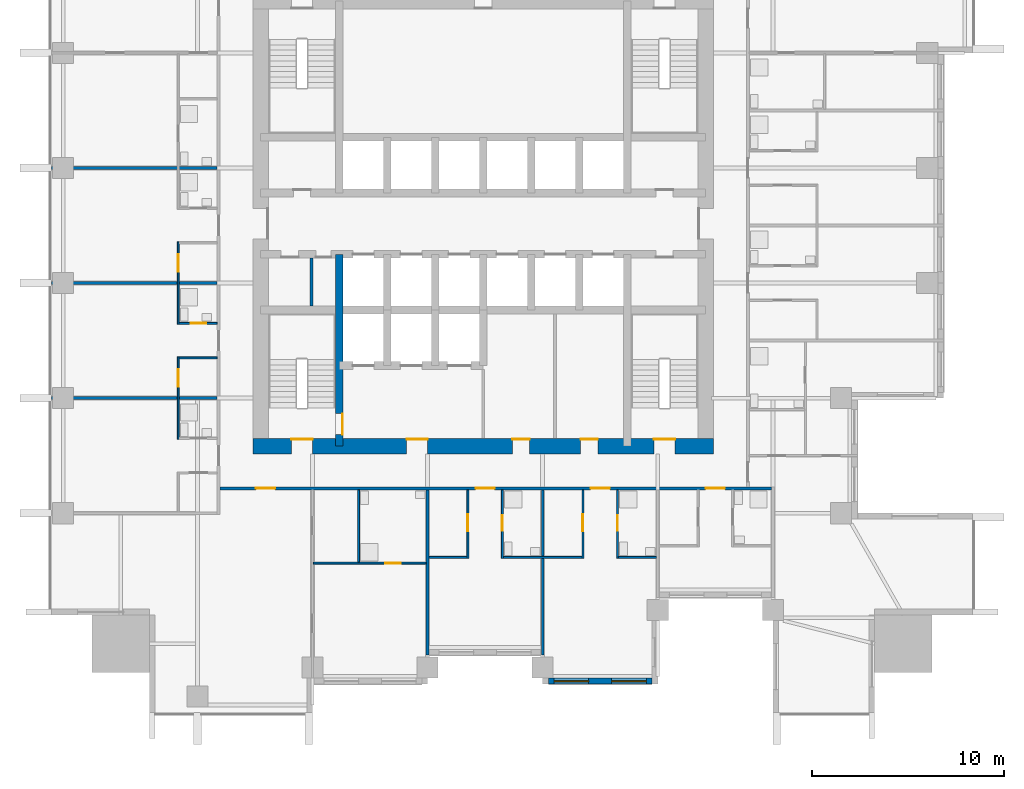
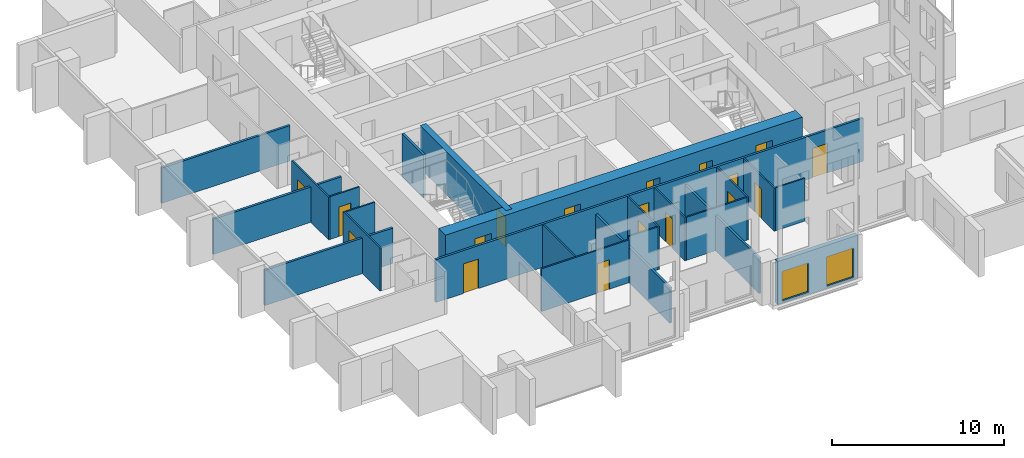
# One storey, part 4 of 12: 23 walls, 18 doors, 2 windows, 20 openings.
"""IFC4 building model written with IfcOpenShell, lengths in metres."""

from ifc_helpers import new_model, si_unit, direction, frame, frame_2d, origin, place, context, subcontext, project, spatial, rectangle, extrude, material, layer, layer_set, type_object, element, fill, save


model = new_model("IFC4")

# Units and contexts
model_context = context("Model", 3, precision=1e-05, world=origin(), true_north=direction((0.0, 1.0)))
body_context = subcontext(model_context, "Body", "Model", "MODEL_VIEW")
ifc_project = project(units=[si_unit("LENGTHUNIT", "METRE"), si_unit("AREAUNIT", "SQUARE_METRE"), si_unit("VOLUMEUNIT", "CUBIC_METRE"), si_unit("PLANEANGLEUNIT", "RADIAN"), si_unit("MASSUNIT", "GRAM", prefix="KILO")], contexts=[model_context])

# Site, building, storey
site_placement = place(None, origin())
site = spatial("IfcSite", under=ifc_project, at=site_placement, CompositionType="ELEMENT")
building_placement = place(site_placement, origin())
building = spatial("IfcBuilding", under=site, at=building_placement, Name="Amberfall Residences", CompositionType="ELEMENT")
storey_placement = place(building_placement, frame((0.0, 0.0, 88.60009765625)))
storey = spatial("IfcBuildingStorey", under=building, at=storey_placement, Name="L23", CompositionType="ELEMENT", Elevation=88.60009765625)

# Wall, openings, windows
ifc_material_1 = material(Name="Pale stone cladding on insulated backing", Category="masonry")
ifc_layer_1 = layer(ifc_material_1, 0.300048828125)
ifc_layer_set_1 = layer_set([ifc_layer_1], Name="Bronze clad wall 300")
wall_type_1 = type_object("IfcWallType", Name="Bronze clad wall 300", PredefinedType="SOLIDWALL", material=ifc_layer_set_1)
wall_1_placement = place(storey_placement, frame((77.89990234375, 21.64990234375, 0.0), z_axis=(0.0, 0.0, 1.0), x_axis=(1.0, 0.0, 0.0)))
wall_1 = element("IfcWall", 1, at=wall_1_placement, inside=storey, type_object=wall_type_1, Name="Stone wall L23 S", PredefinedType="SOLIDWALL", context=body_context, shape_type="SweptSolid", body=[
    extrude(rectangle(XDim=5.400146484375, YDim=0.300048828125, at=frame_2d((2.7001953125, 0.0))), origin(), (0.0, 0.0, 1.0), 3.0498046875),
])
opening_1_placement = place(wall_1_placement, frame((0.300048828125, 0.0, 0.14990234375)))
opening_1 = element("IfcOpeningElement", 2, at=opening_1_placement, cuts=wall_1, Name="Opening WN6", PredefinedType="OPENING", context=body_context, shape_type="SweptSolid", body=[
    extrude(rectangle(XDim=1.800048828125, YDim=2.10009765625, at=frame_2d((0.89990234375, 1.050048828125))), frame((0.0, 0.159912109375, 0.0), z_axis=(0.0, -1.0, 0.0), x_axis=(1.0, 0.0, 0.0)), (0.0, 0.0, 1.0), 0.320068359375),
])
opening_2_placement = place(wall_1_placement, frame((3.300048828125, 0.0, 0.14990234375)))
opening_2 = element("IfcOpeningElement", 3, at=opening_2_placement, cuts=wall_1, Name="Opening WN6", PredefinedType="OPENING", context=body_context, shape_type="SweptSolid", body=[
    extrude(rectangle(XDim=1.800048828125, YDim=2.10009765625, at=frame_2d((0.89990234375, 1.050048828125))), frame((0.0, 0.159912109375, 0.0), z_axis=(0.0, -1.0, 0.0), x_axis=(1.0, 0.0, 0.0)), (0.0, 0.0, 1.0), 0.320068359375),
])
ifc_material_2 = material(Name="Bronze aluminium framed glazing", Category="aluminium")
window_type = type_object("IfcWindowType", Name="Glazed opening 1800 x 2100 bronze", PartitioningType="DOUBLE_PANEL_VERTICAL", PredefinedType="WINDOW", material=ifc_material_2)
window_1_placement = place(opening_1_placement, origin())
window_1 = element("IfcWindow", 4, at=window_1_placement, inside=storey, type_object=window_type, Name="Window L23 S", OverallHeight=2.10009765625, OverallWidth=1.800048828125, PartitioningType="DOUBLE_PANEL_VERTICAL", PredefinedType="WINDOW", context=body_context, shape_type="SweptSolid", body=[
    extrude(rectangle(XDim=1.800048828125, YDim=2.10009765625, at=frame_2d((0.89990234375, 1.050048828125))), frame((0.0, 0.030029296875, 0.0), z_axis=(0.0, -1.0, 0.0), x_axis=(1.0, 0.0, 0.0)), (0.0, 0.0, 1.0), 0.06005859375),
])
fill(opening_1, window_1)
window_2_placement = place(opening_2_placement, origin())
window_2 = element("IfcWindow", 5, at=window_2_placement, inside=storey, type_object=window_type, Name="Window L23 S", OverallHeight=2.10009765625, OverallWidth=1.800048828125, PartitioningType="DOUBLE_PANEL_VERTICAL", PredefinedType="WINDOW", context=body_context, shape_type="SweptSolid", body=[
    extrude(rectangle(XDim=1.800048828125, YDim=2.10009765625, at=frame_2d((0.89990234375, 1.050048828125))), frame((0.0, 0.030029296875, 0.0), z_axis=(0.0, -1.0, 0.0), x_axis=(1.0, 0.0, 0.0)), (0.0, 0.0, 1.0), 0.06005859375),
])
fill(opening_2, window_2)

# Wall, opening, door
ifc_material_3 = material(Name="Concrete C70", Category="concrete")
ifc_layer_2 = layer(ifc_material_3, 0.39990234375)
ifc_layer_set_2 = layer_set([ifc_layer_2], Name="Core wall 400 C70")
wall_type_2 = type_object("IfcWallType", Name="Core wall 400 C70", PredefinedType="SHEAR", material=ifc_layer_set_2)
wall_2_placement = place(storey_placement, frame((67.0, 33.89990234375, 0.0), z_axis=(0.0, 0.0, 1.0), x_axis=(0.0, 1.0, 0.0)))
wall_2 = element("IfcWall", 6, at=wall_2_placement, inside=storey, type_object=wall_type_2, Name="Core wall RW4 L23 V45S", PredefinedType="SHEAR", context=body_context, shape_type="SweptSolid", body=[
    extrude(rectangle(XDim=10.0, YDim=0.39990234375, at=frame_2d((5.0, 0.0))), origin(), (0.0, 0.0, 1.0), 3.0498046875),
])
opening_3_placement = place(wall_2_placement, frame((0.60009765625, 0.0, 0.0)))
opening_3 = element("IfcOpeningElement", 7, at=opening_3_placement, cuts=wall_2, Name="Opening FL1", PredefinedType="OPENING", context=body_context, shape_type="SweptSolid", body=[
    extrude(rectangle(XDim=1.10009765625, YDim=2.10009765625, at=frame_2d((0.550048828125, 1.050048828125))), frame((0.0, 0.2099609375, 0.0), z_axis=(0.0, -1.0, 0.0), x_axis=(1.0, 0.0, 0.0)), (0.0, 0.0, 1.0), 0.419921875),
])
ifc_material_4 = material(Name="Steel fire door set", Category="steel")
door_type_1 = type_object("IfcDoorType", Name="Firefighting lobby door 1100 x 2100", OperationType="SINGLE_SWING_LEFT", PredefinedType="DOOR", material=ifc_material_4)
door_1_placement = place(opening_3_placement, origin())
door_1 = element("IfcDoor", 8, at=door_1_placement, inside=storey, type_object=door_type_1, Name="FL1 L23", OperationType="SINGLE_SWING_RIGHT", OverallHeight=2.10009765625, OverallWidth=1.10009765625, PredefinedType="DOOR", context=body_context, shape_type="SweptSolid", body=[
    extrude(rectangle(XDim=1.10009765625, YDim=2.10009765625, at=frame_2d((0.550048828125, 1.050048828125))), frame((0.0, -0.1376953125, 0.0), z_axis=(0.0, -1.0, 0.0), x_axis=(1.0, 0.0, 0.0)), (0.0, 0.0, 1.0), 0.050048828125),
])
fill(opening_3, door_1)

# Wall, openings, doors
ifc_layer_3 = layer(ifc_material_3, 0.800048828125)
ifc_layer_set_3 = layer_set([ifc_layer_3], Name="Core wall 800 C70")
wall_type_3 = type_object("IfcWallType", Name="Core wall 800 C70", PredefinedType="SHEAR", material=ifc_layer_set_3)
wall_3_placement = place(storey_placement, frame((62.5, 33.89990234375, 0.0), z_axis=(0.0, 0.0, 1.0), x_axis=(1.0, 0.0, 0.0)))
wall_3 = element("IfcWall", 9, at=wall_3_placement, inside=storey, type_object=wall_type_3, Name="Core wall RW3 L23 OS", PredefinedType="SHEAR", context=body_context, shape_type="SweptSolid", body=[
    extrude(rectangle(XDim=24.0, YDim=0.800048828125, at=frame_2d((12.0, 0.0))), origin(), (0.0, 0.0, 1.0), 3.0498046875),
])
opening_4_placement = place(wall_3_placement, frame((2.0, 0.0, 0.0)))
opening_4 = element("IfcOpeningElement", 10, at=opening_4_placement, cuts=wall_3, Name="Opening SD1", PredefinedType="OPENING", context=body_context, shape_type="SweptSolid", body=[
    extrude(rectangle(XDim=1.10009765625, YDim=2.10009765625, at=frame_2d((0.550048828125, 1.050048828125))), frame((0.0, 0.409912109375, 0.0), z_axis=(0.0, -1.0, 0.0), x_axis=(1.0, 0.0, 0.0)), (0.0, 0.0, 1.0), 0.820068359375),
])
opening_5_placement = place(wall_3_placement, frame((20.89990234375, 0.0, 0.0)))
opening_5 = element("IfcOpeningElement", 11, at=opening_5_placement, cuts=wall_3, Name="Opening SD1", PredefinedType="OPENING", context=body_context, shape_type="SweptSolid", body=[
    extrude(rectangle(XDim=1.10009765625, YDim=2.10009765625, at=frame_2d((0.550048828125, 1.050048828125))), frame((0.0, 0.409912109375, 0.0), z_axis=(0.0, -1.0, 0.0), x_axis=(1.0, 0.0, 0.0)), (0.0, 0.0, 1.0), 0.820068359375),
])
opening_6_placement = place(wall_3_placement, frame((8.0, 0.0, 0.0)))
opening_6 = element("IfcOpeningElement", 12, at=opening_6_placement, cuts=wall_3, Name="Opening FL1", PredefinedType="OPENING", context=body_context, shape_type="SweptSolid", body=[
    extrude(rectangle(XDim=1.10009765625, YDim=2.10009765625, at=frame_2d((0.550048828125, 1.050048828125))), frame((0.0, 0.409912109375, 0.0), z_axis=(0.0, -1.0, 0.0), x_axis=(1.0, 0.0, 0.0)), (0.0, 0.0, 1.0), 0.820068359375),
])
opening_7_placement = place(wall_3_placement, frame((13.52490234375, 0.0, 0.0)))
opening_7 = element("IfcOpeningElement", 13, at=opening_7_placement, cuts=wall_3, Name="Opening RD1", PredefinedType="OPENING", context=body_context, shape_type="SweptSolid", body=[
    extrude(rectangle(XDim=0.89990234375, YDim=2.10009765625, at=frame_2d((0.449951171875, 1.050048828125))), frame((0.0, 0.409912109375, 0.0), z_axis=(0.0, -1.0, 0.0), x_axis=(1.0, 0.0, 0.0)), (0.0, 0.0, 1.0), 0.820068359375),
])
opening_8_placement = place(wall_3_placement, frame((17.074951171875, 0.0, 0.0)))
opening_8 = element("IfcOpeningElement", 14, at=opening_8_placement, cuts=wall_3, Name="Opening RD1", PredefinedType="OPENING", context=body_context, shape_type="SweptSolid", body=[
    extrude(rectangle(XDim=0.89990234375, YDim=2.10009765625, at=frame_2d((0.449951171875, 1.050048828125))), frame((0.0, 0.409912109375, 0.0), z_axis=(0.0, -1.0, 0.0), x_axis=(1.0, 0.0, 0.0)), (0.0, 0.0, 1.0), 0.820068359375),
])
door_2_placement = place(opening_6_placement, origin())
door_2 = element("IfcDoor", 15, at=door_2_placement, inside=storey, type_object=door_type_1, Name="FL1 L23", OperationType="SINGLE_SWING_LEFT", OverallHeight=2.10009765625, OverallWidth=1.10009765625, PredefinedType="DOOR", context=body_context, shape_type="SweptSolid", body=[
    extrude(rectangle(XDim=1.10009765625, YDim=2.10009765625, at=frame_2d((0.550048828125, 1.050048828125))), frame((0.0, 0.3876953125, 0.0), z_axis=(0.0, -1.0, 0.0), x_axis=(1.0, 0.0, 0.0)), (0.0, 0.0, 1.0), 0.050048828125),
])
fill(opening_6, door_2)
door_type_2 = type_object("IfcDoorType", Name="Service room door 900 x 2100", OperationType="SINGLE_SWING_LEFT", PredefinedType="DOOR", material=ifc_material_4)
door_3_placement = place(opening_7_placement, origin())
door_3 = element("IfcDoor", 16, at=door_3_placement, inside=storey, type_object=door_type_2, Name="RD1 L23", OperationType="SINGLE_SWING_LEFT", OverallHeight=2.10009765625, OverallWidth=0.89990234375, PredefinedType="DOOR", context=body_context, shape_type="SweptSolid", body=[
    extrude(rectangle(XDim=0.89990234375, YDim=2.10009765625, at=frame_2d((0.449951171875, 1.050048828125))), frame((0.0, 0.3876953125, 0.0), z_axis=(0.0, -1.0, 0.0), x_axis=(1.0, 0.0, 0.0)), (0.0, 0.0, 1.0), 0.050048828125),
])
fill(opening_7, door_3)
door_4_placement = place(opening_8_placement, origin())
door_4 = element("IfcDoor", 17, at=door_4_placement, inside=storey, type_object=door_type_2, Name="RD1 L23", OperationType="SINGLE_SWING_LEFT", OverallHeight=2.10009765625, OverallWidth=0.89990234375, PredefinedType="DOOR", context=body_context, shape_type="SweptSolid", body=[
    extrude(rectangle(XDim=0.89990234375, YDim=2.10009765625, at=frame_2d((0.449951171875, 1.050048828125))), frame((0.0, 0.3876953125, 0.0), z_axis=(0.0, -1.0, 0.0), x_axis=(1.0, 0.0, 0.0)), (0.0, 0.0, 1.0), 0.050048828125),
])
fill(opening_8, door_4)
door_type_3 = type_object("IfcDoorType", Name="Stair door 1100 x 2100", OperationType="SINGLE_SWING_LEFT", PredefinedType="DOOR", material=ifc_material_4)
door_5_placement = place(opening_4_placement, origin())
door_5 = element("IfcDoor", 18, at=door_5_placement, inside=storey, type_object=door_type_3, Name="SD1 L23", OperationType="SINGLE_SWING_LEFT", OverallHeight=2.10009765625, OverallWidth=1.10009765625, PredefinedType="DOOR", context=body_context, shape_type="SweptSolid", body=[
    extrude(rectangle(XDim=1.10009765625, YDim=2.10009765625, at=frame_2d((0.550048828125, 1.050048828125))), frame((0.0, 0.3876953125, 0.0), z_axis=(0.0, -1.0, 0.0), x_axis=(1.0, 0.0, 0.0)), (0.0, 0.0, 1.0), 0.050048828125),
])
fill(opening_4, door_5)
door_6_placement = place(opening_5_placement, origin())
door_6 = element("IfcDoor", 19, at=door_6_placement, inside=storey, type_object=door_type_3, Name="SD1 L23", OperationType="SINGLE_SWING_RIGHT", OverallHeight=2.10009765625, OverallWidth=1.10009765625, PredefinedType="DOOR", context=body_context, shape_type="SweptSolid", body=[
    extrude(rectangle(XDim=1.10009765625, YDim=2.10009765625, at=frame_2d((0.550048828125, 1.050048828125))), frame((0.0, 0.3876953125, 0.0), z_axis=(0.0, -1.0, 0.0), x_axis=(1.0, 0.0, 0.0)), (0.0, 0.0, 1.0), 0.050048828125),
])
fill(opening_5, door_6)

# Wall, opening, door
ifc_material_5 = material(Name="Gypsum board on metal stud")
ifc_layer_4 = layer(ifc_material_5, 0.10009765625)
ifc_layer_set_4 = layer_set([ifc_layer_4], Name="Flat partition 100")
wall_type_4 = type_object("IfcWallType", Name="Flat partition 100", PredefinedType="PARTITIONING", material=ifc_layer_set_4)
wall_4_placement = place(storey_placement, frame((58.60009765625, 38.550048828125, 0.0), z_axis=(0.0, 0.0, 1.0), x_axis=(0.0, -1.0, 0.0)))
wall_4 = element("IfcWall", 20, at=wall_4_placement, inside=storey, type_object=wall_type_4, Name="Partition 002", PredefinedType="PARTITIONING", context=body_context, shape_type="SweptSolid", body=[
    extrude(rectangle(XDim=4.300048828125, YDim=0.10009765625, at=frame_2d((2.14990234375, 0.0))), origin(), (0.0, 0.0, 1.0), 3.0498046875),
])
opening_9_placement = place(wall_4_placement, frame((0.64990234375, 0.0, 0.0)))
opening_9 = element("IfcOpeningElement", 21, at=opening_9_placement, cuts=wall_4, Name="Opening D41", PredefinedType="OPENING", context=body_context, shape_type="SweptSolid", body=[
    extrude(rectangle(XDim=0.89990234375, YDim=2.10009765625, at=frame_2d((0.449951171875, 1.050048828125))), frame((0.0, 0.06005859375, 0.0), z_axis=(0.0, -1.0, 0.0), x_axis=(1.0, 0.0, 0.0)), (0.0, 0.0, 1.0), 0.1201171875),
])
ifc_material_6 = material(Name="Timber", Category="wood")
door_type_4 = type_object("IfcDoorType", Name="Internal door 900 x 2100", OperationType="SINGLE_SWING_LEFT", PredefinedType="DOOR", material=ifc_material_6)
door_7_placement = place(opening_9_placement, origin())
door_7 = element("IfcDoor", 22, at=door_7_placement, inside=storey, type_object=door_type_4, Name="Door 2314 kitchen", OperationType="SINGLE_SWING_LEFT", OverallHeight=2.10009765625, OverallWidth=0.89990234375, PredefinedType="DOOR", context=body_context, shape_type="SweptSolid", body=[
    extrude(rectangle(XDim=0.89990234375, YDim=2.10009765625, at=frame_2d((0.449951171875, 1.050048828125))), frame((0.0, 0.02490234375, 0.0), z_axis=(0.0, -1.0, 0.0), x_axis=(1.0, 0.0, 0.0)), (0.0, 0.0, 1.0), 0.050048828125),
])
fill(opening_9, door_7)

wall_5_placement = place(storey_placement, frame((58.60009765625, 44.550048828125, 0.0), z_axis=(0.0, 0.0, 1.0), x_axis=(0.0, -1.0, 0.0)))
wall_5 = element("IfcWall", 23, at=wall_5_placement, inside=storey, type_object=wall_type_4, Name="Partition 003", PredefinedType="PARTITIONING", context=body_context, shape_type="SweptSolid", body=[
    extrude(rectangle(XDim=4.300048828125, YDim=0.10009765625, at=frame_2d((2.14990234375, 0.0))), origin(), (0.0, 0.0, 1.0), 3.0498046875),
])
opening_10_placement = place(wall_5_placement, frame((0.64990234375, 0.0, 0.0)))
opening_10 = element("IfcOpeningElement", 24, at=opening_10_placement, cuts=wall_5, Name="Opening D41", PredefinedType="OPENING", context=body_context, shape_type="SweptSolid", body=[
    extrude(rectangle(XDim=0.89990234375, YDim=2.10009765625, at=frame_2d((0.449951171875, 1.050048828125))), frame((0.0, 0.06005859375, 0.0), z_axis=(0.0, -1.0, 0.0), x_axis=(1.0, 0.0, 0.0)), (0.0, 0.0, 1.0), 0.1201171875),
])
door_8_placement = place(opening_10_placement, origin())
door_8 = element("IfcDoor", 25, at=door_8_placement, inside=storey, type_object=door_type_4, Name="Door 2315 kitchen", OperationType="SINGLE_SWING_LEFT", OverallHeight=2.10009765625, OverallWidth=0.89990234375, PredefinedType="DOOR", context=body_context, shape_type="SweptSolid", body=[
    extrude(rectangle(XDim=0.89990234375, YDim=2.10009765625, at=frame_2d((0.449951171875, 1.050048828125))), frame((0.0, 0.02490234375, 0.0), z_axis=(0.0, -1.0, 0.0), x_axis=(1.0, 0.0, 0.0)), (0.0, 0.0, 1.0), 0.050048828125),
])
fill(opening_10, door_8)

# Wall
wall_6_placement = place(storey_placement, frame((68.0, 27.85009765625, 0.0), z_axis=(0.0, 0.0, 1.0), x_axis=(0.0, 1.0, 0.0)))
element("IfcWall", 26, at=wall_6_placement, inside=storey, type_object=wall_type_4, Name="Partition 009", PredefinedType="PARTITIONING", context=body_context, shape_type="SweptSolid", body=[
    extrude(rectangle(XDim=3.77490234375, YDim=0.10009765625, at=frame_2d((1.887451171875, 0.0))), origin(), (0.0, 0.0, 1.0), 3.0498046875),
])

# Wall, opening, door
wall_7_placement = place(storey_placement, frame((73.699951171875, 28.050048828125, 0.0), z_axis=(0.0, 0.0, 1.0), x_axis=(0.0, 1.0, 0.0)))
wall_7 = element("IfcWall", 27, at=wall_7_placement, inside=storey, type_object=wall_type_4, Name="Partition 011", PredefinedType="PARTITIONING", context=body_context, shape_type="SweptSolid", body=[
    extrude(rectangle(XDim=3.574951171875, YDim=0.10009765625, at=frame_2d((1.78759765625, 0.0))), origin(), (0.0, 0.0, 1.0), 3.0498046875),
])
opening_11_placement = place(wall_7_placement, frame((1.39990234375, 0.0, 0.0)))
opening_11 = element("IfcOpeningElement", 28, at=opening_11_placement, cuts=wall_7, Name="Opening D41", PredefinedType="OPENING", context=body_context, shape_type="SweptSolid", body=[
    extrude(rectangle(XDim=0.89990234375, YDim=2.10009765625, at=frame_2d((0.449951171875, 1.050048828125))), frame((0.0, 0.06005859375, 0.0), z_axis=(0.0, -1.0, 0.0), x_axis=(1.0, 0.0, 0.0)), (0.0, 0.0, 1.0), 0.1201171875),
])
door_9_placement = place(opening_11_placement, origin())
door_9 = element("IfcDoor", 29, at=door_9_placement, inside=storey, type_object=door_type_4, Name="Door 2302 kitchen", OperationType="SINGLE_SWING_LEFT", OverallHeight=2.10009765625, OverallWidth=0.89990234375, PredefinedType="DOOR", context=body_context, shape_type="SweptSolid", body=[
    extrude(rectangle(XDim=0.89990234375, YDim=2.10009765625, at=frame_2d((0.449951171875, 1.050048828125))), frame((0.0, 0.02490234375, 0.0), z_axis=(0.0, -1.0, 0.0), x_axis=(1.0, 0.0, 0.0)), (0.0, 0.0, 1.0), 0.050048828125),
])
fill(opening_11, door_9)

wall_8_placement = place(storey_placement, frame((75.5, 31.625, 0.0), z_axis=(0.0, 0.0, 1.0), x_axis=(0.0, -1.0, 0.0)))
wall_8 = element("IfcWall", 30, at=wall_8_placement, inside=storey, type_object=wall_type_4, Name="Partition 013", PredefinedType="PARTITIONING", context=body_context, shape_type="SweptSolid", body=[
    extrude(rectangle(XDim=3.574951171875, YDim=0.10009765625, at=frame_2d((1.78759765625, 0.0))), origin(), (0.0, 0.0, 1.0), 3.0498046875),
])
opening_12_placement = place(wall_8_placement, frame((1.324951171875, 0.0, 0.0)))
opening_12 = element("IfcOpeningElement", 31, at=opening_12_placement, cuts=wall_8, Name="Opening D42", PredefinedType="OPENING", context=body_context, shape_type="SweptSolid", body=[
    extrude(rectangle(XDim=0.800048828125, YDim=2.10009765625, at=frame_2d((0.39990234375, 1.050048828125))), frame((0.0, 0.06005859375, 0.0), z_axis=(0.0, -1.0, 0.0), x_axis=(1.0, 0.0, 0.0)), (0.0, 0.0, 1.0), 0.1201171875),
])
door_type_5 = type_object("IfcDoorType", Name="Bathroom door 800 x 2100", OperationType="SINGLE_SWING_LEFT", PredefinedType="DOOR", material=ifc_material_6)
door_10_placement = place(opening_12_placement, origin())
door_10 = element("IfcDoor", 32, at=door_10_placement, inside=storey, type_object=door_type_5, Name="Door 2302 bath1", OperationType="SINGLE_SWING_LEFT", OverallHeight=2.10009765625, OverallWidth=0.800048828125, PredefinedType="DOOR", context=body_context, shape_type="SweptSolid", body=[
    extrude(rectangle(XDim=0.800048828125, YDim=2.10009765625, at=frame_2d((0.39990234375, 1.050048828125))), frame((0.0, 0.02490234375, 0.0), z_axis=(0.0, -1.0, 0.0), x_axis=(1.0, 0.0, 0.0)), (0.0, 0.0, 1.0), 0.050048828125),
])
fill(opening_12, door_10)

wall_9_placement = place(storey_placement, frame((79.699951171875, 28.050048828125, 0.0), z_axis=(0.0, 0.0, 1.0), x_axis=(0.0, 1.0, 0.0)))
wall_9 = element("IfcWall", 33, at=wall_9_placement, inside=storey, type_object=wall_type_4, Name="Partition 015", PredefinedType="PARTITIONING", context=body_context, shape_type="SweptSolid", body=[
    extrude(rectangle(XDim=3.574951171875, YDim=0.10009765625, at=frame_2d((1.78759765625, 0.0))), origin(), (0.0, 0.0, 1.0), 3.0498046875),
])
opening_13_placement = place(wall_9_placement, frame((1.39990234375, 0.0, 0.0)))
opening_13 = element("IfcOpeningElement", 34, at=opening_13_placement, cuts=wall_9, Name="Opening D41", PredefinedType="OPENING", context=body_context, shape_type="SweptSolid", body=[
    extrude(rectangle(XDim=0.89990234375, YDim=2.10009765625, at=frame_2d((0.449951171875, 1.050048828125))), frame((0.0, 0.06005859375, 0.0), z_axis=(0.0, -1.0, 0.0), x_axis=(1.0, 0.0, 0.0)), (0.0, 0.0, 1.0), 0.1201171875),
])
door_11_placement = place(opening_13_placement, origin())
door_11 = element("IfcDoor", 35, at=door_11_placement, inside=storey, type_object=door_type_4, Name="Door 2303 kitchen", OperationType="SINGLE_SWING_LEFT", OverallHeight=2.10009765625, OverallWidth=0.89990234375, PredefinedType="DOOR", context=body_context, shape_type="SweptSolid", body=[
    extrude(rectangle(XDim=0.89990234375, YDim=2.10009765625, at=frame_2d((0.449951171875, 1.050048828125))), frame((0.0, 0.02490234375, 0.0), z_axis=(0.0, -1.0, 0.0), x_axis=(1.0, 0.0, 0.0)), (0.0, 0.0, 1.0), 0.050048828125),
])
fill(opening_13, door_11)

wall_10_placement = place(storey_placement, frame((81.5, 31.625, 0.0), z_axis=(0.0, 0.0, 1.0), x_axis=(0.0, -1.0, 0.0)))
wall_10 = element("IfcWall", 36, at=wall_10_placement, inside=storey, type_object=wall_type_4, Name="Partition 017", PredefinedType="PARTITIONING", context=body_context, shape_type="SweptSolid", body=[
    extrude(rectangle(XDim=3.574951171875, YDim=0.10009765625, at=frame_2d((1.78759765625, 0.0))), origin(), (0.0, 0.0, 1.0), 3.0498046875),
])
opening_14_placement = place(wall_10_placement, frame((1.324951171875, 0.0, 0.0)))
opening_14 = element("IfcOpeningElement", 37, at=opening_14_placement, cuts=wall_10, Name="Opening D42", PredefinedType="OPENING", context=body_context, shape_type="SweptSolid", body=[
    extrude(rectangle(XDim=0.800048828125, YDim=2.10009765625, at=frame_2d((0.39990234375, 1.050048828125))), frame((0.0, 0.06005859375, 0.0), z_axis=(0.0, -1.0, 0.0), x_axis=(1.0, 0.0, 0.0)), (0.0, 0.0, 1.0), 0.1201171875),
])
door_12_placement = place(opening_14_placement, origin())
door_12 = element("IfcDoor", 38, at=door_12_placement, inside=storey, type_object=door_type_5, Name="Door 2303 bath1", OperationType="SINGLE_SWING_LEFT", OverallHeight=2.10009765625, OverallWidth=0.800048828125, PredefinedType="DOOR", context=body_context, shape_type="SweptSolid", body=[
    extrude(rectangle(XDim=0.800048828125, YDim=2.10009765625, at=frame_2d((0.39990234375, 1.050048828125))), frame((0.0, 0.02490234375, 0.0), z_axis=(0.0, -1.0, 0.0), x_axis=(1.0, 0.0, 0.0)), (0.0, 0.0, 1.0), 0.050048828125),
])
fill(opening_14, door_12)

wall_11_placement = place(storey_placement, frame((58.64990234375, 40.300048828125, 0.0), z_axis=(0.0, 0.0, 1.0), x_axis=(1.0, 0.0, 0.0)))
wall_11 = element("IfcWall", 39, at=wall_11_placement, inside=storey, type_object=wall_type_4, Name="Partition 041", PredefinedType="PARTITIONING", context=body_context, shape_type="SweptSolid", body=[
    extrude(rectangle(XDim=1.97509765625, YDim=0.10009765625, at=frame_2d((0.987548828125, 0.0))), origin(), (0.0, 0.0, 1.0), 3.0498046875),
])
opening_15_placement = place(wall_11_placement, frame((0.60009765625, 0.0, 0.0)))
opening_15 = element("IfcOpeningElement", 40, at=opening_15_placement, cuts=wall_11, Name="Opening D42", PredefinedType="OPENING", context=body_context, shape_type="SweptSolid", body=[
    extrude(rectangle(XDim=0.800048828125, YDim=2.10009765625, at=frame_2d((0.39990234375, 1.050048828125))), frame((0.0, 0.06005859375, 0.0), z_axis=(0.0, -1.0, 0.0), x_axis=(1.0, 0.0, 0.0)), (0.0, 0.0, 1.0), 0.1201171875),
])
door_13_placement = place(opening_15_placement, origin())
door_13 = element("IfcDoor", 41, at=door_13_placement, inside=storey, type_object=door_type_5, Name="Door 2314 bath1", OperationType="SINGLE_SWING_LEFT", OverallHeight=2.10009765625, OverallWidth=0.800048828125, PredefinedType="DOOR", context=body_context, shape_type="SweptSolid", body=[
    extrude(rectangle(XDim=0.800048828125, YDim=2.10009765625, at=frame_2d((0.39990234375, 1.050048828125))), frame((0.0, 0.02490234375, 0.0), z_axis=(0.0, -1.0, 0.0), x_axis=(1.0, 0.0, 0.0)), (0.0, 0.0, 1.0), 0.050048828125),
])
fill(opening_15, door_13)

# Walls
wall_12_placement = place(storey_placement, frame((58.64990234375, 38.5, 0.0), z_axis=(0.0, 0.0, 1.0), x_axis=(1.0, 0.0, 0.0)))
element("IfcWall", 42, at=wall_12_placement, inside=storey, type_object=wall_type_4, Name="Partition 042", PredefinedType="PARTITIONING", context=body_context, shape_type="SweptSolid", body=[
    extrude(rectangle(XDim=1.97509765625, YDim=0.10009765625, at=frame_2d((0.987548828125, 0.0))), origin(), (0.0, 0.0, 1.0), 3.0498046875),
])
wall_13_placement = place(storey_placement, frame((71.675048828125, 28.10009765625, 0.0), z_axis=(0.0, 0.0, 1.0), x_axis=(1.0, 0.0, 0.0)))
element("IfcWall", 43, at=wall_13_placement, inside=storey, type_object=wall_type_4, Name="Partition 049", PredefinedType="PARTITIONING", context=body_context, shape_type="SweptSolid", body=[
    extrude(rectangle(XDim=1.974853515625, YDim=0.10009765625, at=frame_2d((0.9873046875, 0.0))), origin(), (0.0, 0.0, 1.0), 3.0498046875),
])
wall_14_placement = place(storey_placement, frame((75.550048828125, 28.10009765625, 0.0), z_axis=(0.0, 0.0, 1.0), x_axis=(1.0, 0.0, 0.0)))
element("IfcWall", 44, at=wall_14_placement, inside=storey, type_object=wall_type_4, Name="Partition 050", PredefinedType="PARTITIONING", context=body_context, shape_type="SweptSolid", body=[
    extrude(rectangle(XDim=4.099853515625, YDim=0.10009765625, at=frame_2d((2.0498046875, 0.0))), origin(), (0.0, 0.0, 1.0), 3.0498046875),
])
wall_15_placement = place(storey_placement, frame((81.550048828125, 28.10009765625, 0.0), z_axis=(0.0, 0.0, 1.0), x_axis=(1.0, 0.0, 0.0)))
element("IfcWall", 45, at=wall_15_placement, inside=storey, type_object=wall_type_4, Name="Partition 051", PredefinedType="PARTITIONING", context=body_context, shape_type="SweptSolid", body=[
    extrude(rectangle(XDim=1.974853515625, YDim=0.10009765625, at=frame_2d((0.9873046875, 0.0))), origin(), (0.0, 0.0, 1.0), 3.0498046875),
])

# Wall, opening, door
wall_16_placement = place(storey_placement, frame((65.64990234375, 27.800048828125, 0.0), z_axis=(0.0, 0.0, 1.0), x_axis=(1.0, 0.0, 0.0)))
wall_16 = element("IfcWall", 46, at=wall_16_placement, inside=storey, type_object=wall_type_4, Name="Partition 052", PredefinedType="PARTITIONING", context=body_context, shape_type="SweptSolid", body=[
    extrude(rectangle(XDim=5.875, YDim=0.10009765625, at=frame_2d((2.9375, 0.0))), origin(), (0.0, 0.0, 1.0), 3.0498046875),
])
opening_16_placement = place(wall_16_placement, frame((3.75, 0.0, 0.0)))
opening_16 = element("IfcOpeningElement", 47, at=opening_16_placement, cuts=wall_16, Name="Opening D42", PredefinedType="OPENING", context=body_context, shape_type="SweptSolid", body=[
    extrude(rectangle(XDim=0.800048828125, YDim=2.10009765625, at=frame_2d((0.39990234375, 1.050048828125))), frame((0.0, 0.06005859375, 0.0), z_axis=(0.0, -1.0, 0.0), x_axis=(1.0, 0.0, 0.0)), (0.0, 0.0, 1.0), 0.1201171875),
])
door_14_placement = place(opening_16_placement, origin())
door_14 = element("IfcDoor", 48, at=door_14_placement, inside=storey, type_object=door_type_5, Name="Door 2301 bath1", OperationType="SINGLE_SWING_LEFT", OverallHeight=2.10009765625, OverallWidth=0.800048828125, PredefinedType="DOOR", context=body_context, shape_type="SweptSolid", body=[
    extrude(rectangle(XDim=0.800048828125, YDim=2.10009765625, at=frame_2d((0.39990234375, 1.050048828125))), frame((0.0, 0.02490234375, 0.0), z_axis=(0.0, -1.0, 0.0), x_axis=(1.0, 0.0, 0.0)), (0.0, 0.0, 1.0), 0.050048828125),
])
fill(opening_16, door_14)

# Walls
ifc_material_7 = material(Name="Blockwork, plastered", Category="masonry")
ifc_layer_5 = layer(ifc_material_7, 0.14990234375)
ifc_layer_set_5 = layer_set([ifc_layer_5], Name="Flat separating wall 150")
wall_type_5 = type_object("IfcWallType", Name="Flat separating wall 150", PredefinedType="PARTITIONING", material=ifc_layer_set_5)
for number, where, z_axis, x_axis, name in (
    (49, (71.60009765625, 23.0, 0.0), (0.0, 0.0, 1.0), (0.0, 1.0, 0.0), "Separating wall 056"),
    (50, (77.60009765625, 23.0, 0.0), (0.0, 0.0, 1.0), (0.0, 1.0, 0.0), "Separating wall 058"),
    (51, (52.0, 48.39990234375, 0.0), (0.0, 0.0, 1.0), (1.0, 0.0, 0.0), "Separating wall 066"),
    (52, (52.0, 42.39990234375, 0.0), (0.0, 0.0, 1.0), (1.0, 0.0, 0.0), "Separating wall 068"),
    (53, (52.0, 36.39990234375, 0.0), (0.0, 0.0, 1.0), (1.0, 0.0, 0.0), "Separating wall 070"),
):
    element("IfcWall", number, at=place(storey_placement, frame(where, z_axis=z_axis, x_axis=x_axis)), inside=storey, type_object=wall_type_5, Name=name, PredefinedType="PARTITIONING", context=body_context, shape_type="SweptSolid", body=[
        extrude(rectangle(XDim=8.625, YDim=0.14990234375, at=frame_2d((4.3125, 0.0))), origin(), (0.0, 0.0, 1.0), 2.515869140625),
    ])

# Wall, openings, doors
wall_17_placement = place(storey_placement, frame((89.52490234375, 31.699951171875, 0.0), z_axis=(0.0, 0.0, 1.0), x_axis=(-1.0, 0.0, 0.0)))
wall_17 = element("IfcWall", 54, at=wall_17_placement, inside=storey, type_object=wall_type_5, Name="Separating wall 071", PredefinedType="PARTITIONING", context=body_context, shape_type="SweptSolid", body=[
    extrude(rectangle(XDim=28.75, YDim=0.14990234375, at=frame_2d((14.375, 0.0))), origin(), (0.0, 0.0, 1.0), 3.0498046875),
])
opening_17_placement = place(wall_17_placement, frame((25.875, 0.0, 0.0)))
opening_17 = element("IfcOpeningElement", 55, at=opening_17_placement, cuts=wall_17, Name="Opening D40", PredefinedType="OPENING", context=body_context, shape_type="SweptSolid", body=[
    extrude(rectangle(XDim=1.0, YDim=2.10009765625, at=frame_2d((0.5, 1.050048828125))), frame((0.0, 0.0849609375, 0.0), z_axis=(0.0, -1.0, 0.0), x_axis=(1.0, 0.0, 0.0)), (0.0, 0.0, 1.0), 0.169921875),
])
opening_18_placement = place(wall_17_placement, frame((14.425048828125, 0.0, 0.0)))
opening_18 = element("IfcOpeningElement", 56, at=opening_18_placement, cuts=wall_17, Name="Opening D40", PredefinedType="OPENING", context=body_context, shape_type="SweptSolid", body=[
    extrude(rectangle(XDim=1.0, YDim=2.10009765625, at=frame_2d((0.5, 1.050048828125))), frame((0.0, 0.0849609375, 0.0), z_axis=(0.0, -1.0, 0.0), x_axis=(1.0, 0.0, 0.0)), (0.0, 0.0, 1.0), 0.169921875),
])
opening_19_placement = place(wall_17_placement, frame((8.425048828125, 0.0, 0.0)))
opening_19 = element("IfcOpeningElement", 57, at=opening_19_placement, cuts=wall_17, Name="Opening D40", PredefinedType="OPENING", context=body_context, shape_type="SweptSolid", body=[
    extrude(rectangle(XDim=1.0, YDim=2.10009765625, at=frame_2d((0.5, 1.050048828125))), frame((0.0, 0.0849609375, 0.0), z_axis=(0.0, -1.0, 0.0), x_axis=(1.0, 0.0, 0.0)), (0.0, 0.0, 1.0), 0.169921875),
])
opening_20_placement = place(wall_17_placement, frame((2.425048828125, 0.0, 0.0)))
opening_20 = element("IfcOpeningElement", 58, at=opening_20_placement, cuts=wall_17, Name="Opening D40", PredefinedType="OPENING", context=body_context, shape_type="SweptSolid", body=[
    extrude(rectangle(XDim=1.0, YDim=2.10009765625, at=frame_2d((0.5, 1.050048828125))), frame((0.0, 0.0849609375, 0.0), z_axis=(0.0, -1.0, 0.0), x_axis=(1.0, 0.0, 0.0)), (0.0, 0.0, 1.0), 0.169921875),
])
ifc_material_8 = material(Name="Timber, fire-rated", Category="wood")
door_type_6 = type_object("IfcDoorType", Name="Flat entrance door FD60 1000 x 2100", OperationType="SINGLE_SWING_LEFT", PredefinedType="DOOR", material=ifc_material_8)
door_15_placement = place(opening_17_placement, origin())
door_15 = element("IfcDoor", 59, at=door_15_placement, inside=storey, type_object=door_type_6, Name="Door 2301 entrance", OperationType="SINGLE_SWING_LEFT", OverallHeight=2.10009765625, OverallWidth=1.0, PredefinedType="DOOR", context=body_context, shape_type="SweptSolid", body=[
    extrude(rectangle(XDim=1.0, YDim=2.10009765625, at=frame_2d((0.5, 1.050048828125))), frame((0.0, 0.02490234375, 0.0), z_axis=(0.0, -1.0, 0.0), x_axis=(1.0, 0.0, 0.0)), (0.0, 0.0, 1.0), 0.050048828125),
])
fill(opening_17, door_15)
door_16_placement = place(opening_18_placement, origin())
door_16 = element("IfcDoor", 60, at=door_16_placement, inside=storey, type_object=door_type_6, Name="Door 2302 entrance", OperationType="SINGLE_SWING_LEFT", OverallHeight=2.10009765625, OverallWidth=1.0, PredefinedType="DOOR", context=body_context, shape_type="SweptSolid", body=[
    extrude(rectangle(XDim=1.0, YDim=2.10009765625, at=frame_2d((0.5, 1.050048828125))), frame((0.0, 0.02490234375, 0.0), z_axis=(0.0, -1.0, 0.0), x_axis=(1.0, 0.0, 0.0)), (0.0, 0.0, 1.0), 0.050048828125),
])
fill(opening_18, door_16)
door_17_placement = place(opening_19_placement, origin())
door_17 = element("IfcDoor", 61, at=door_17_placement, inside=storey, type_object=door_type_6, Name="Door 2303 entrance", OperationType="SINGLE_SWING_LEFT", OverallHeight=2.10009765625, OverallWidth=1.0, PredefinedType="DOOR", context=body_context, shape_type="SweptSolid", body=[
    extrude(rectangle(XDim=1.0, YDim=2.10009765625, at=frame_2d((0.5, 1.050048828125))), frame((0.0, 0.02490234375, 0.0), z_axis=(0.0, -1.0, 0.0), x_axis=(1.0, 0.0, 0.0)), (0.0, 0.0, 1.0), 0.050048828125),
])
fill(opening_19, door_17)
door_18_placement = place(opening_20_placement, origin())
door_18 = element("IfcDoor", 62, at=door_18_placement, inside=storey, type_object=door_type_6, Name="Door 2304 entrance", OperationType="SINGLE_SWING_LEFT", OverallHeight=2.10009765625, OverallWidth=1.0, PredefinedType="DOOR", context=body_context, shape_type="SweptSolid", body=[
    extrude(rectangle(XDim=1.0, YDim=2.10009765625, at=frame_2d((0.5, 1.050048828125))), frame((0.0, 0.02490234375, 0.0), z_axis=(0.0, -1.0, 0.0), x_axis=(1.0, 0.0, 0.0)), (0.0, 0.0, 1.0), 0.050048828125),
])
fill(opening_20, door_18)

# Wall
ifc_material_9 = material(Name="Concrete blockwork", Category="masonry")
ifc_layer_6 = layer(ifc_material_9, 0.14990234375)
ifc_layer_set_6 = layer_set([ifc_layer_6], Name="Riser wall 150")
wall_type_6 = type_object("IfcWallType", Name="Riser wall 150", PredefinedType="PLUMBINGWALL", material=ifc_layer_set_6)
wall_18_placement = place(storey_placement, frame((65.5400390625, 41.199951171875, 0.0), z_axis=(0.0, 0.0, 1.0), x_axis=(0.0, 1.0, 0.0)))
element("IfcWall", 63, at=wall_18_placement, inside=storey, type_object=wall_type_6, Name="L23 core wall ASW0", PredefinedType="PLUMBINGWALL", context=body_context, shape_type="SweptSolid", body=[
    extrude(rectangle(XDim=2.5, YDim=0.14990234375, at=frame_2d((1.25, 0.0))), origin(), (0.0, 0.0, 1.0), 3.0498046875),
])

save(model, "model.ifc")
